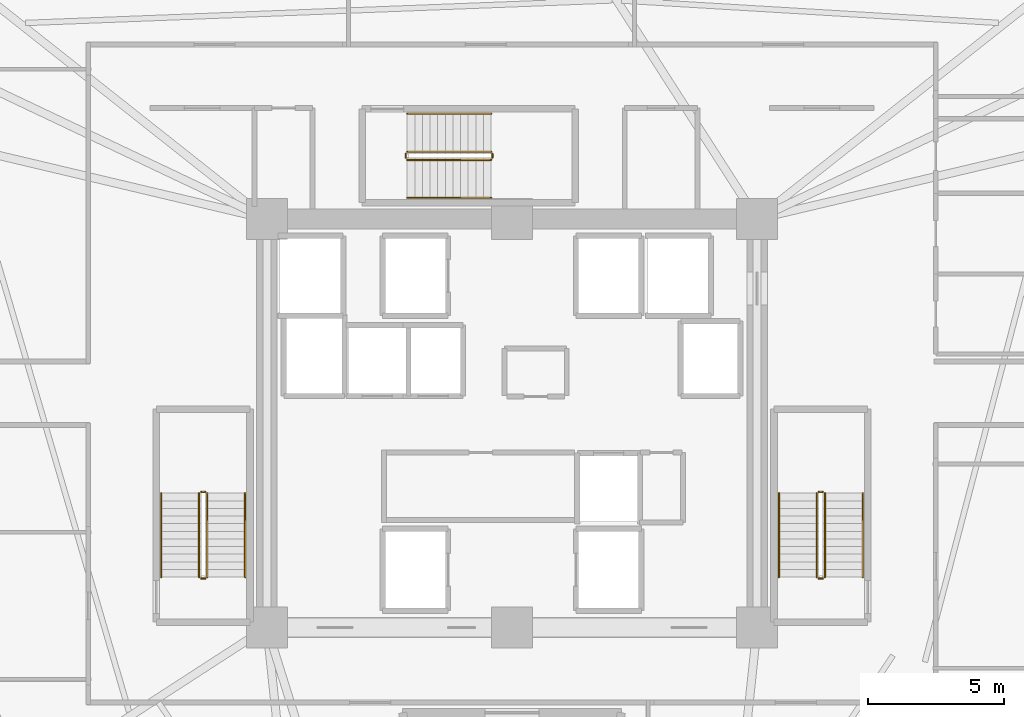
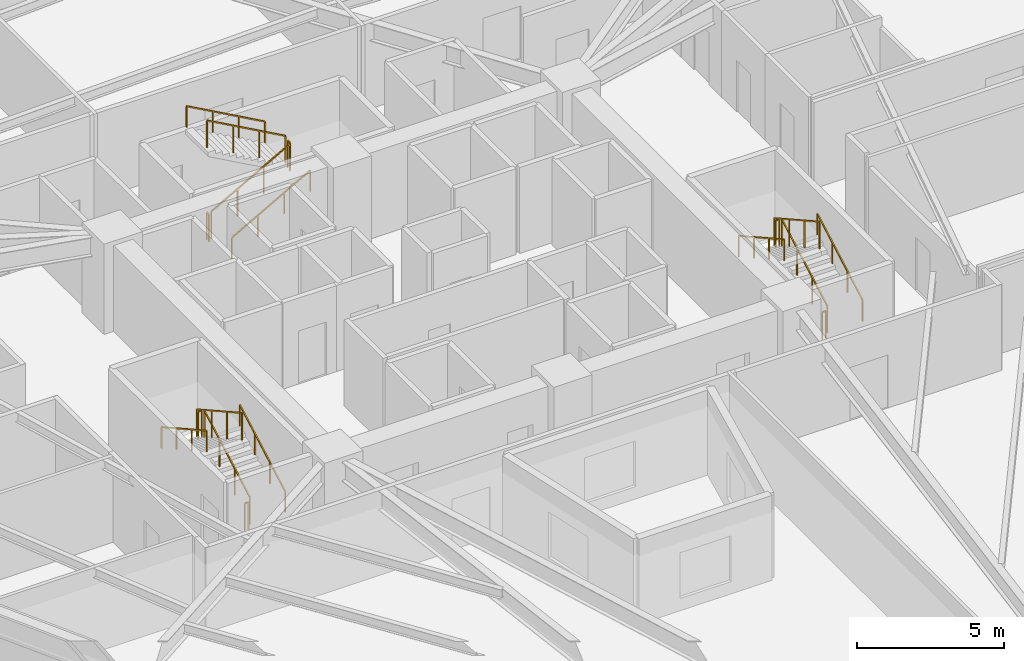
# One storey, part 9 of 9: 18 railings.
"""IFC4 building model written with IfcOpenShell, lengths in metres."""

from ifc_helpers import new_model, si_unit, direction, frame, origin, origin_2d, place, context, subcontext, project, spatial, rectangle, extrude, material, type_object, element, save


model = new_model("IFC4")

# Units and contexts
model_context = context("Model", 3, precision=1e-05, world=origin(), true_north=direction((0.0, 1.0)))
body_context = subcontext(model_context, "Body", "Model", "MODEL_VIEW")
ifc_project = project(units=[si_unit("LENGTHUNIT", "METRE"), si_unit("AREAUNIT", "SQUARE_METRE"), si_unit("VOLUMEUNIT", "CUBIC_METRE"), si_unit("PLANEANGLEUNIT", "RADIAN"), si_unit("MASSUNIT", "GRAM", prefix="KILO")], contexts=[model_context])

# Site, building, storey
site_placement = place(None, origin())
site = spatial("IfcSite", under=ifc_project, at=site_placement, CompositionType="ELEMENT")
building_placement = place(site_placement, origin())
building = spatial("IfcBuilding", under=site, at=building_placement, Name="Liaohun Quay Tower", CompositionType="ELEMENT")
storey_placement = place(building_placement, frame((0.0, 0.0, 144.0)))
storey = spatial("IfcBuildingStorey", under=building, at=storey_placement, Name="L37", CompositionType="ELEMENT", Elevation=144.0)

# Railings
ifc_material_1 = material(Name="Painted tubular steel", Category="steel")
railing_type_1 = type_object("IfcRailingType", Name="RLG-GUARD-STR", PredefinedType="GUARDRAIL", material=ifc_material_1)
railing_1_placement = place(storey_placement, frame((48.81005859375, 48.35009765625, 0.15625)))
element("IfcRailing", 1, at=railing_1_placement, inside=storey, type_object=railing_type_1, Name="L37 ST-1 stair guard 1", PredefinedType="GUARDRAIL", context=body_context, shape_type="SweptSolid", body=[
    extrude(rectangle(XDim=0.048095703125, YDim=0.048095703125, at=origin_2d()), frame((0.0, 0.0, 1.1259765625), z_axis=(0.0, 0.873225103656, 0.487317061414), x_axis=(-1.0, 0.0, 0.0)), (0.0, 0.0, 1.0), 3.52685546875),
    extrude(rectangle(XDim=0.0419921875, YDim=0.0419921875, at=origin_2d()), origin(), (0.0, 0.0, 1.0), 1.101806640625),
    extrude(rectangle(XDim=0.0419921875, YDim=0.0419921875, at=origin_2d()), frame((0.0, 1.026611328125, 0.572998046875)), (0.0, 0.0, 1.0), 1.101806640625),
    extrude(rectangle(XDim=0.0419921875, YDim=0.0419921875, at=origin_2d()), frame((0.0, 2.05322265625, 1.145751953125)), (0.0, 0.0, 1.0), 1.101806640625),
    extrude(rectangle(XDim=0.0419921875, YDim=0.0419921875, at=origin_2d()), frame((0.0, 3.079833984375, 1.71875)), (0.0, 0.0, 1.0), 1.101806640625),
])
railing_2_placement = place(storey_placement, frame((48.72998046875, 51.47998046875, 1.875)))
element("IfcRailing", 2, at=railing_2_placement, inside=storey, type_object=railing_type_1, Name="L37 ST-1 stair guard 2", PredefinedType="GUARDRAIL", context=body_context, shape_type="SweptSolid", body=[
    extrude(rectangle(XDim=0.048095703125, YDim=0.048095703125, at=origin_2d()), frame((0.0, 0.0, 1.1259765625), z_axis=(-1.0, 0.0, 0.0), x_axis=(0.0, -1.0, 0.0)), (0.0, 0.0, 1.0), 0.139892578125),
    extrude(rectangle(XDim=0.0419921875, YDim=0.0419921875, at=origin_2d()), origin(), (0.0, 0.0, 1.0), 1.101806640625),
    extrude(rectangle(XDim=0.0419921875, YDim=0.0419921875, at=origin_2d()), frame((-0.139892578125, 0.0, 0.0)), (0.0, 0.0, 1.0), 1.101806640625),
])
railing_3_placement = place(storey_placement, frame((48.510009765625, 51.429931640625, 2.03125)))
element("IfcRailing", 3, at=railing_3_placement, inside=storey, type_object=railing_type_1, Name="L37 ST-1 stair guard 3", PredefinedType="GUARDRAIL", context=body_context, shape_type="SweptSolid", body=[
    extrude(rectangle(XDim=0.048095703125, YDim=0.048095703125, at=origin_2d()), frame((0.0, 0.0, 1.1259765625), z_axis=(0.0, -0.873225103656, 0.487317061414), x_axis=(1.0, 0.0, 0.0)), (0.0, 0.0, 1.0), 3.52685546875),
    extrude(rectangle(XDim=0.0419921875, YDim=0.0419921875, at=origin_2d()), origin(), (0.0, 0.0, 1.0), 1.101806640625),
    extrude(rectangle(XDim=0.0419921875, YDim=0.0419921875, at=origin_2d()), frame((0.0, -1.026611328125, 0.572998046875)), (0.0, 0.0, 1.0), 1.101806640625),
    extrude(rectangle(XDim=0.0419921875, YDim=0.0419921875, at=origin_2d()), frame((0.0, -2.05322265625, 1.145751953125)), (0.0, 0.0, 1.0), 1.101806640625),
    extrude(rectangle(XDim=0.0419921875, YDim=0.0419921875, at=origin_2d()), frame((0.0, -3.079833984375, 1.71875)), (0.0, 0.0, 1.0), 1.101806640625),
])
railing_4_placement = place(storey_placement, frame((48.72998046875, 48.300048828125, 0.0)))
element("IfcRailing", 4, at=railing_4_placement, inside=storey, type_object=railing_type_1, Name="L37 ST-1 stair guard 4", PredefinedType="GUARDRAIL", context=body_context, shape_type="SweptSolid", body=[
    extrude(rectangle(XDim=0.048095703125, YDim=0.048095703125, at=origin_2d()), frame((0.0, 0.0, 1.1259765625), z_axis=(-1.0, 0.0, 0.0), x_axis=(0.0, -1.0, 0.0)), (0.0, 0.0, 1.0), 0.139892578125),
    extrude(rectangle(XDim=0.0419921875, YDim=0.0419921875, at=origin_2d()), origin(), (0.0, 0.0, 1.0), 1.101806640625),
    extrude(rectangle(XDim=0.0419921875, YDim=0.0419921875, at=origin_2d()), frame((-0.139892578125, 0.0, 0.0)), (0.0, 0.0, 1.0), 1.101806640625),
])
railing_5_placement = place(storey_placement, frame((71.489990234375, 48.35009765625, 0.15625)))
element("IfcRailing", 5, at=railing_5_placement, inside=storey, type_object=railing_type_1, Name="L37 ST-2 stair guard 1", PredefinedType="GUARDRAIL", context=body_context, shape_type="SweptSolid", body=[
    extrude(rectangle(XDim=0.048095703125, YDim=0.048095703125, at=origin_2d()), frame((0.0, 0.0, 1.1259765625), z_axis=(0.0, 0.873225103656, 0.487317061414), x_axis=(-1.0, 0.0, 0.0)), (0.0, 0.0, 1.0), 3.52685546875),
    extrude(rectangle(XDim=0.0419921875, YDim=0.0419921875, at=origin_2d()), origin(), (0.0, 0.0, 1.0), 1.101806640625),
    extrude(rectangle(XDim=0.0419921875, YDim=0.0419921875, at=origin_2d()), frame((0.0, 1.026611328125, 0.572998046875)), (0.0, 0.0, 1.0), 1.101806640625),
    extrude(rectangle(XDim=0.0419921875, YDim=0.0419921875, at=origin_2d()), frame((0.0, 2.05322265625, 1.145751953125)), (0.0, 0.0, 1.0), 1.101806640625),
    extrude(rectangle(XDim=0.0419921875, YDim=0.0419921875, at=origin_2d()), frame((0.0, 3.079833984375, 1.71875)), (0.0, 0.0, 1.0), 1.101806640625),
])
railing_6_placement = place(storey_placement, frame((71.409912109375, 51.47998046875, 1.875)))
element("IfcRailing", 6, at=railing_6_placement, inside=storey, type_object=railing_type_1, Name="L37 ST-2 stair guard 2", PredefinedType="GUARDRAIL", context=body_context, shape_type="SweptSolid", body=[
    extrude(rectangle(XDim=0.048095703125, YDim=0.048095703125, at=origin_2d()), frame((0.0, 0.0, 1.1259765625), z_axis=(-1.0, 0.0, 0.0), x_axis=(0.0, -1.0, 0.0)), (0.0, 0.0, 1.0), 0.139892578125),
    extrude(rectangle(XDim=0.0419921875, YDim=0.0419921875, at=origin_2d()), origin(), (0.0, 0.0, 1.0), 1.101806640625),
    extrude(rectangle(XDim=0.0419921875, YDim=0.0419921875, at=origin_2d()), frame((-0.139892578125, 0.0, 0.0)), (0.0, 0.0, 1.0), 1.101806640625),
])
railing_7_placement = place(storey_placement, frame((71.18994140625, 51.429931640625, 2.03125)))
element("IfcRailing", 7, at=railing_7_placement, inside=storey, type_object=railing_type_1, Name="L37 ST-2 stair guard 3", PredefinedType="GUARDRAIL", context=body_context, shape_type="SweptSolid", body=[
    extrude(rectangle(XDim=0.048095703125, YDim=0.048095703125, at=origin_2d()), frame((0.0, 0.0, 1.1259765625), z_axis=(0.0, -0.873225103656, 0.487317061414), x_axis=(1.0, 0.0, 0.0)), (0.0, 0.0, 1.0), 3.52685546875),
    extrude(rectangle(XDim=0.0419921875, YDim=0.0419921875, at=origin_2d()), origin(), (0.0, 0.0, 1.0), 1.101806640625),
    extrude(rectangle(XDim=0.0419921875, YDim=0.0419921875, at=origin_2d()), frame((0.0, -1.026611328125, 0.572998046875)), (0.0, 0.0, 1.0), 1.101806640625),
    extrude(rectangle(XDim=0.0419921875, YDim=0.0419921875, at=origin_2d()), frame((0.0, -2.05322265625, 1.145751953125)), (0.0, 0.0, 1.0), 1.101806640625),
    extrude(rectangle(XDim=0.0419921875, YDim=0.0419921875, at=origin_2d()), frame((0.0, -3.079833984375, 1.71875)), (0.0, 0.0, 1.0), 1.101806640625),
])
railing_8_placement = place(storey_placement, frame((71.409912109375, 48.300048828125, 0.0)))
element("IfcRailing", 8, at=railing_8_placement, inside=storey, type_object=railing_type_1, Name="L37 ST-2 stair guard 4", PredefinedType="GUARDRAIL", context=body_context, shape_type="SweptSolid", body=[
    extrude(rectangle(XDim=0.048095703125, YDim=0.048095703125, at=origin_2d()), frame((0.0, 0.0, 1.1259765625), z_axis=(-1.0, 0.0, 0.0), x_axis=(0.0, -1.0, 0.0)), (0.0, 0.0, 1.0), 0.139892578125),
    extrude(rectangle(XDim=0.0419921875, YDim=0.0419921875, at=origin_2d()), origin(), (0.0, 0.0, 1.0), 1.101806640625),
    extrude(rectangle(XDim=0.0419921875, YDim=0.0419921875, at=origin_2d()), frame((-0.139892578125, 0.0, 0.0)), (0.0, 0.0, 1.0), 1.101806640625),
])
railing_9_placement = place(storey_placement, frame((56.14990234375, 63.669921875, 0.15625)))
element("IfcRailing", 9, at=railing_9_placement, inside=storey, type_object=railing_type_1, Name="L37 ST-3 stair guard 1", PredefinedType="GUARDRAIL", context=body_context, shape_type="SweptSolid", body=[
    extrude(rectangle(XDim=0.048095703125, YDim=0.048095703125, at=origin_2d()), frame((0.0, 0.0, 1.1259765625), z_axis=(0.873241540666, 0.0, 0.487287606713), x_axis=(0.0, 1.0, 0.0)), (0.0, 0.0, 1.0), 3.527099609375),
    extrude(rectangle(XDim=0.0419921875, YDim=0.0419921875, at=origin_2d()), origin(), (0.0, 0.0, 1.0), 1.101806640625),
    extrude(rectangle(XDim=0.0419921875, YDim=0.0419921875, at=origin_2d()), frame((1.026611328125, 0.0, 0.572998046875)), (0.0, 0.0, 1.0), 1.101806640625),
    extrude(rectangle(XDim=0.0419921875, YDim=0.0419921875, at=origin_2d()), frame((2.053466796875, 0.0, 1.145751953125)), (0.0, 0.0, 1.0), 1.101806640625),
    extrude(rectangle(XDim=0.0419921875, YDim=0.0419921875, at=origin_2d()), frame((3.080078125, 0.0, 1.71875)), (0.0, 0.0, 1.0), 1.101806640625),
])
railing_10_placement = place(storey_placement, frame((59.280029296875, 63.75, 1.875)))
element("IfcRailing", 10, at=railing_10_placement, inside=storey, type_object=railing_type_1, Name="L37 ST-3 stair guard 2", PredefinedType="GUARDRAIL", context=body_context, shape_type="SweptSolid", body=[
    extrude(rectangle(XDim=0.048095703125, YDim=0.048095703125, at=origin_2d()), frame((0.0, 0.0, 1.1259765625), z_axis=(0.0, 1.0, 0.0), x_axis=(-1.0, 0.0, 0.0)), (0.0, 0.0, 1.0), 0.139892578125),
    extrude(rectangle(XDim=0.0419921875, YDim=0.0419921875, at=origin_2d()), origin(), (0.0, 0.0, 1.0), 1.101806640625),
    extrude(rectangle(XDim=0.0419921875, YDim=0.0419921875, at=origin_2d()), frame((0.0, 0.139892578125, 0.0)), (0.0, 0.0, 1.0), 1.101806640625),
])
railing_11_placement = place(storey_placement, frame((59.22998046875, 63.969970703125, 2.03125)))
element("IfcRailing", 11, at=railing_11_placement, inside=storey, type_object=railing_type_1, Name="L37 ST-3 stair guard 3", PredefinedType="GUARDRAIL", context=body_context, shape_type="SweptSolid", body=[
    extrude(rectangle(XDim=0.048095703125, YDim=0.048095703125, at=origin_2d()), frame((0.0, 0.0, 1.1259765625), z_axis=(-0.873241540666, 0.0, 0.487287606713), x_axis=(0.0, -1.0, 0.0)), (0.0, 0.0, 1.0), 3.527099609375),
    extrude(rectangle(XDim=0.0419921875, YDim=0.0419921875, at=origin_2d()), origin(), (0.0, 0.0, 1.0), 1.101806640625),
    extrude(rectangle(XDim=0.0419921875, YDim=0.0419921875, at=origin_2d()), frame((-1.026611328125, 0.0, 0.572998046875)), (0.0, 0.0, 1.0), 1.101806640625),
    extrude(rectangle(XDim=0.0419921875, YDim=0.0419921875, at=origin_2d()), frame((-2.053466796875, 0.0, 1.145751953125)), (0.0, 0.0, 1.0), 1.101806640625),
    extrude(rectangle(XDim=0.0419921875, YDim=0.0419921875, at=origin_2d()), frame((-3.080078125, 0.0, 1.71875)), (0.0, 0.0, 1.0), 1.101806640625),
])
railing_12_placement = place(storey_placement, frame((56.10009765625, 63.75, 0.0)))
element("IfcRailing", 12, at=railing_12_placement, inside=storey, type_object=railing_type_1, Name="L37 ST-3 stair guard 4", PredefinedType="GUARDRAIL", context=body_context, shape_type="SweptSolid", body=[
    extrude(rectangle(XDim=0.048095703125, YDim=0.048095703125, at=origin_2d()), frame((0.0, 0.0, 1.1259765625), z_axis=(0.0, 1.0, 0.0), x_axis=(-1.0, 0.0, 0.0)), (0.0, 0.0, 1.0), 0.139892578125),
    extrude(rectangle(XDim=0.0419921875, YDim=0.0419921875, at=origin_2d()), origin(), (0.0, 0.0, 1.0), 1.101806640625),
    extrude(rectangle(XDim=0.0419921875, YDim=0.0419921875, at=origin_2d()), frame((0.0, 0.139892578125, 0.0)), (0.0, 0.0, 1.0), 1.101806640625),
])
ifc_material_2 = material(Name="Brushed stainless steel", Category="steel")
railing_type_2 = type_object("IfcRailingType", Name="RLG-HND-STR", PredefinedType="HANDRAIL", material=ifc_material_2)
railing_13_placement = place(storey_placement, frame((50.199951171875, 48.35009765625, 0.15625)))
element("IfcRailing", 13, at=railing_13_placement, inside=storey, type_object=railing_type_2, Name="L37 ST-1 stair handrail 1", PredefinedType="HANDRAIL", context=body_context, shape_type="SweptSolid", body=[
    extrude(rectangle(XDim=0.048095703125, YDim=0.048095703125, at=origin_2d()), frame((0.0, 0.0, 0.8759765625), z_axis=(0.0, 0.873225103656, 0.487317061414), x_axis=(-1.0, 0.0, 0.0)), (0.0, 0.0, 1.0), 3.52685546875),
    extrude(rectangle(XDim=0.0419921875, YDim=0.0419921875, at=origin_2d()), origin(), (0.0, 0.0, 1.0), 0.851806640625),
    extrude(rectangle(XDim=0.0419921875, YDim=0.0419921875, at=origin_2d()), frame((0.0, 1.026611328125, 0.572998046875)), (0.0, 0.0, 1.0), 0.851806640625),
    extrude(rectangle(XDim=0.0419921875, YDim=0.0419921875, at=origin_2d()), frame((0.0, 2.05322265625, 1.145751953125)), (0.0, 0.0, 1.0), 0.851806640625),
    extrude(rectangle(XDim=0.0419921875, YDim=0.0419921875, at=origin_2d()), frame((0.0, 3.079833984375, 1.71875)), (0.0, 0.0, 1.0), 0.851806640625),
])
railing_14_placement = place(storey_placement, frame((47.1201171875, 51.429931640625, 2.03125)))
element("IfcRailing", 14, at=railing_14_placement, inside=storey, type_object=railing_type_2, Name="L37 ST-1 stair handrail 2", PredefinedType="HANDRAIL", context=body_context, shape_type="SweptSolid", body=[
    extrude(rectangle(XDim=0.048095703125, YDim=0.048095703125, at=origin_2d()), frame((0.0, 0.0, 0.8759765625), z_axis=(0.0, -0.873225103656, 0.487317061414), x_axis=(1.0, 0.0, 0.0)), (0.0, 0.0, 1.0), 3.52685546875),
    extrude(rectangle(XDim=0.0419921875, YDim=0.0419921875, at=origin_2d()), origin(), (0.0, 0.0, 1.0), 0.851806640625),
    extrude(rectangle(XDim=0.0419921875, YDim=0.0419921875, at=origin_2d()), frame((0.0, -1.026611328125, 0.572998046875)), (0.0, 0.0, 1.0), 0.851806640625),
    extrude(rectangle(XDim=0.0419921875, YDim=0.0419921875, at=origin_2d()), frame((0.0, -2.05322265625, 1.145751953125)), (0.0, 0.0, 1.0), 0.851806640625),
    extrude(rectangle(XDim=0.0419921875, YDim=0.0419921875, at=origin_2d()), frame((0.0, -3.079833984375, 1.71875)), (0.0, 0.0, 1.0), 0.851806640625),
])
railing_15_placement = place(storey_placement, frame((72.8798828125, 48.35009765625, 0.15625)))
element("IfcRailing", 15, at=railing_15_placement, inside=storey, type_object=railing_type_2, Name="L37 ST-2 stair handrail 1", PredefinedType="HANDRAIL", context=body_context, shape_type="SweptSolid", body=[
    extrude(rectangle(XDim=0.048095703125, YDim=0.048095703125, at=origin_2d()), frame((0.0, 0.0, 0.8759765625), z_axis=(0.0, 0.873225103656, 0.487317061414), x_axis=(-1.0, 0.0, 0.0)), (0.0, 0.0, 1.0), 3.52685546875),
    extrude(rectangle(XDim=0.0419921875, YDim=0.0419921875, at=origin_2d()), origin(), (0.0, 0.0, 1.0), 0.851806640625),
    extrude(rectangle(XDim=0.0419921875, YDim=0.0419921875, at=origin_2d()), frame((0.0, 1.026611328125, 0.572998046875)), (0.0, 0.0, 1.0), 0.851806640625),
    extrude(rectangle(XDim=0.0419921875, YDim=0.0419921875, at=origin_2d()), frame((0.0, 2.05322265625, 1.145751953125)), (0.0, 0.0, 1.0), 0.851806640625),
    extrude(rectangle(XDim=0.0419921875, YDim=0.0419921875, at=origin_2d()), frame((0.0, 3.079833984375, 1.71875)), (0.0, 0.0, 1.0), 0.851806640625),
])
railing_16_placement = place(storey_placement, frame((69.800048828125, 51.429931640625, 2.03125)))
element("IfcRailing", 16, at=railing_16_placement, inside=storey, type_object=railing_type_2, Name="L37 ST-2 stair handrail 2", PredefinedType="HANDRAIL", context=body_context, shape_type="SweptSolid", body=[
    extrude(rectangle(XDim=0.048095703125, YDim=0.048095703125, at=origin_2d()), frame((0.0, 0.0, 0.8759765625), z_axis=(0.0, -0.873225103656, 0.487317061414), x_axis=(1.0, 0.0, 0.0)), (0.0, 0.0, 1.0), 3.52685546875),
    extrude(rectangle(XDim=0.0419921875, YDim=0.0419921875, at=origin_2d()), origin(), (0.0, 0.0, 1.0), 0.851806640625),
    extrude(rectangle(XDim=0.0419921875, YDim=0.0419921875, at=origin_2d()), frame((0.0, -1.026611328125, 0.572998046875)), (0.0, 0.0, 1.0), 0.851806640625),
    extrude(rectangle(XDim=0.0419921875, YDim=0.0419921875, at=origin_2d()), frame((0.0, -2.05322265625, 1.145751953125)), (0.0, 0.0, 1.0), 0.851806640625),
    extrude(rectangle(XDim=0.0419921875, YDim=0.0419921875, at=origin_2d()), frame((0.0, -3.079833984375, 1.71875)), (0.0, 0.0, 1.0), 0.851806640625),
])
railing_17_placement = place(storey_placement, frame((56.14990234375, 62.280029296875, 0.15625)))
element("IfcRailing", 17, at=railing_17_placement, inside=storey, type_object=railing_type_2, Name="L37 ST-3 stair handrail 1", PredefinedType="HANDRAIL", context=body_context, shape_type="SweptSolid", body=[
    extrude(rectangle(XDim=0.048095703125, YDim=0.048095703125, at=origin_2d()), frame((0.0, 0.0, 0.8759765625), z_axis=(0.873241540666, 0.0, 0.487287606713), x_axis=(0.0, 1.0, 0.0)), (0.0, 0.0, 1.0), 3.527099609375),
    extrude(rectangle(XDim=0.0419921875, YDim=0.0419921875, at=origin_2d()), origin(), (0.0, 0.0, 1.0), 0.851806640625),
    extrude(rectangle(XDim=0.0419921875, YDim=0.0419921875, at=origin_2d()), frame((1.026611328125, 0.0, 0.572998046875)), (0.0, 0.0, 1.0), 0.851806640625),
    extrude(rectangle(XDim=0.0419921875, YDim=0.0419921875, at=origin_2d()), frame((2.053466796875, 0.0, 1.145751953125)), (0.0, 0.0, 1.0), 0.851806640625),
    extrude(rectangle(XDim=0.0419921875, YDim=0.0419921875, at=origin_2d()), frame((3.080078125, 0.0, 1.71875)), (0.0, 0.0, 1.0), 0.851806640625),
])
railing_18_placement = place(storey_placement, frame((59.22998046875, 65.360107421875, 2.03125)))
element("IfcRailing", 18, at=railing_18_placement, inside=storey, type_object=railing_type_2, Name="L37 ST-3 stair handrail 2", PredefinedType="HANDRAIL", context=body_context, shape_type="SweptSolid", body=[
    extrude(rectangle(XDim=0.048095703125, YDim=0.048095703125, at=origin_2d()), frame((0.0, 0.0, 0.8759765625), z_axis=(-0.873241540666, 0.0, 0.487287606713), x_axis=(0.0, -1.0, 0.0)), (0.0, 0.0, 1.0), 3.527099609375),
    extrude(rectangle(XDim=0.0419921875, YDim=0.0419921875, at=origin_2d()), origin(), (0.0, 0.0, 1.0), 0.851806640625),
    extrude(rectangle(XDim=0.0419921875, YDim=0.0419921875, at=origin_2d()), frame((-1.026611328125, 0.0, 0.572998046875)), (0.0, 0.0, 1.0), 0.851806640625),
    extrude(rectangle(XDim=0.0419921875, YDim=0.0419921875, at=origin_2d()), frame((-2.053466796875, 0.0, 1.145751953125)), (0.0, 0.0, 1.0), 0.851806640625),
    extrude(rectangle(XDim=0.0419921875, YDim=0.0419921875, at=origin_2d()), frame((-3.080078125, 0.0, 1.71875)), (0.0, 0.0, 1.0), 0.851806640625),
])

save(model, "model.ifc")
